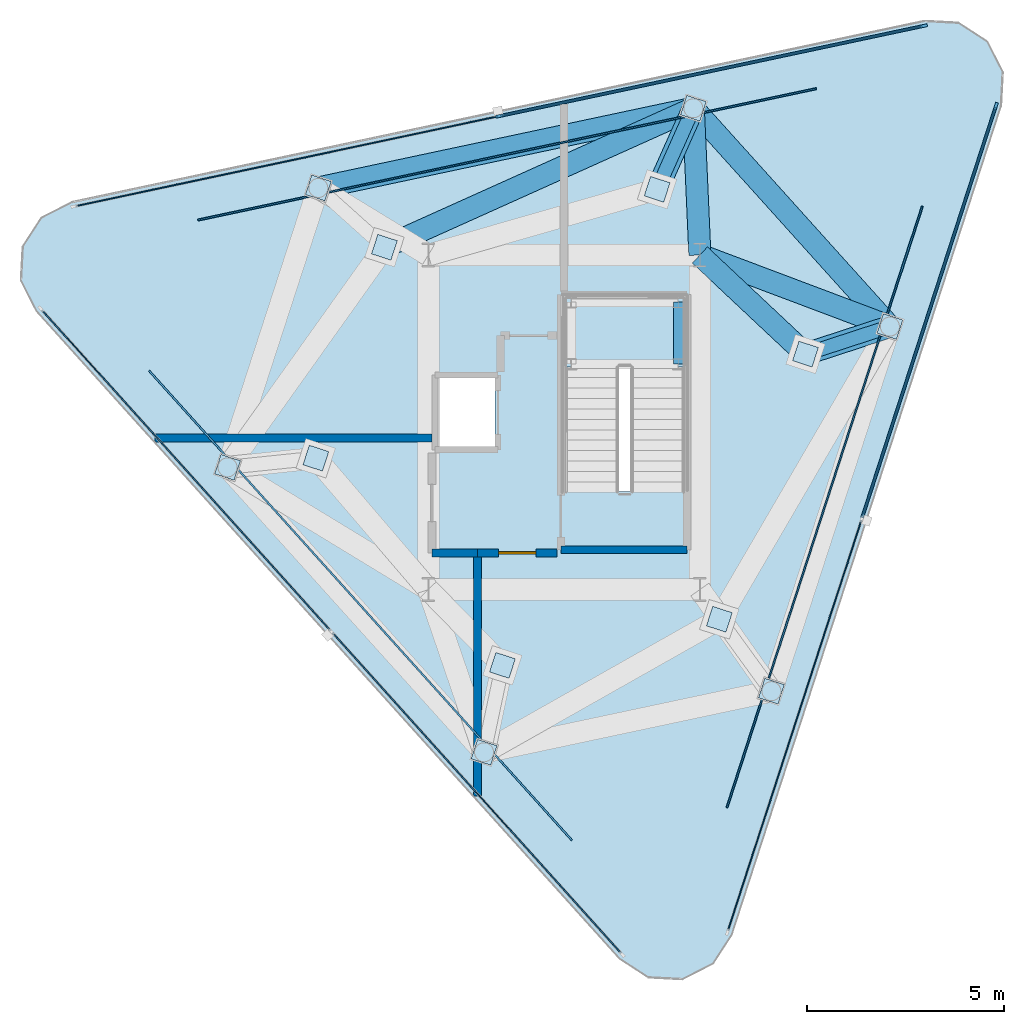
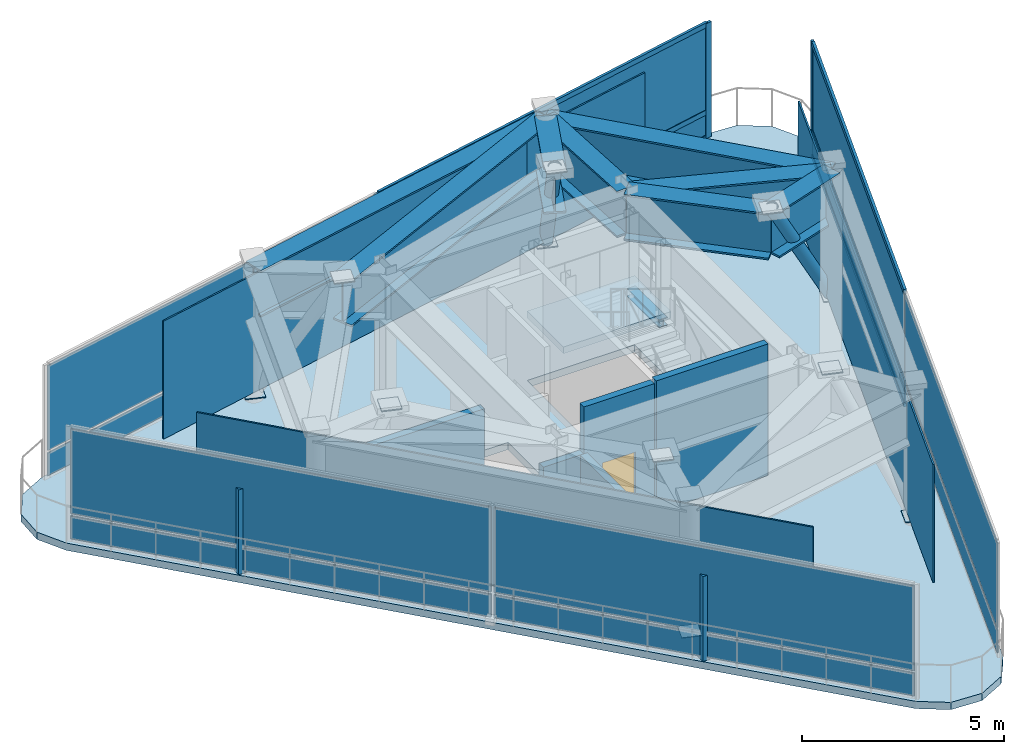
# One storey, part 2 of 4: 27 plates, 11 members, 9 beams, 5 walls, 2 slabs, 1 door, 1 opening, 4 elements without a shape of their own.
"""IFC4 building model written with IfcOpenShell, lengths in metres."""

from ifc_helpers import new_model, si_unit, direction, frame, frame_2d, origin, origin_2d, place, context, subcontext, project, spatial, polyline, rectangle, hollow_circle, i_section, outline, extrude, material, layer, layer_set, material_profile, profile_set, type_object, element, fill, aggregate, save


model = new_model("IFC4")

# Units and contexts
model_context = context("Model", 3, precision=1e-05, world=origin(), true_north=direction((0.0, 1.0)))
body_context = subcontext(model_context, "Body", "Model", "MODEL_VIEW")
ifc_project = project(units=[si_unit("LENGTHUNIT", "METRE"), si_unit("AREAUNIT", "SQUARE_METRE"), si_unit("VOLUMEUNIT", "CUBIC_METRE"), si_unit("PLANEANGLEUNIT", "RADIAN"), si_unit("MASSUNIT", "GRAM", prefix="KILO")], contexts=[model_context])

# Site, building, storey
site_placement = place(None, origin())
site = spatial("IfcSite", under=ifc_project, at=site_placement, CompositionType="ELEMENT")
building_placement = place(site_placement, origin())
building = spatial("IfcBuilding", under=site, at=building_placement, Name="Terralouvre Media Tower", CompositionType="ELEMENT")
storey_placement = place(building_placement, frame((0.0, 0.0, 330.800048828125)))
storey = spatial("IfcBuildingStorey", under=building, at=storey_placement, Name="L85", CompositionType="ELEMENT", Elevation=330.800048828125)

# Curtain wall, members
ifc_material_1 = material(Name="Low-iron laminated double glazing with solar-control coating", Category="glass")
ifc_layer_1 = layer(ifc_material_1, 0.1650390625, Name="Faceted Glass-Point Crown Curtain Wall CW-06")
ifc_layer_set_1 = layer_set([ifc_layer_1], Name="Low-iron laminated double glazing with solar-control coating")
curtain_wall_type = type_object("IfcCurtainWallType", Name="Faceted Glass-Point Crown Curtain Wall CW-06", PredefinedType="NOTDEFINED", material=ifc_layer_set_1)
curtain_wall_1_placement = place(storey_placement, origin())
curtain_wall_1 = element("IfcCurtainWall", 1, at=curtain_wall_1_placement, inside=storey, type_object=curtain_wall_type, Name="L85 Facade Curtain Wall F0", PredefinedType="NOTDEFINED")
ifc_material_2 = material(Name="Anodised extruded aluminium 6063-T6", Category="aluminium")
ifc_material_profile_1 = material_profile(ifc_material_2, rectangle(XDim=0.074951171875, YDim=0.14990234375, at=origin_2d()), Name="ALU 75x150")
ifc_profile_set_1 = profile_set([ifc_material_profile_1], Name="Anodised extruded aluminium 6063-T6")
member_type_1 = type_object("IfcMemberType", Name="Curtain-Wall Horizontal Transom TR-150", PredefinedType="USERDEFINED", material=ifc_profile_set_1)
member_1_placement = place(storey_placement, frame((7.57373046875, -2.42138671875, 0.037353515625), z_axis=(0.30901301948, 0.951057807808, 0.0), x_axis=(-0.951057807808, 0.30901301948, 0.0)))
member_1 = element("IfcMember", 2, at=member_1_placement, type_object=member_type_1, Name="CW-06 transom 2.1", ObjectType="TRANSOM", PredefinedType="USERDEFINED", context=body_context, shape_type="SweptSolid", body=[
    extrude(rectangle(XDim=0.074951171875, YDim=0.14990234375, at=origin_2d()), origin(), (0.0, 0.0, 1.0), 10.95751953125),
])
member_2_placement = place(storey_placement, frame((7.57373046875, -2.42138671875, 0.800048828125), z_axis=(0.30901301948, 0.951057807808, 0.0), x_axis=(-0.951057807808, 0.30901301948, 0.0)))
member_2 = element("IfcMember", 3, at=member_2_placement, type_object=member_type_1, Name="CW-06 transom 2.2", ObjectType="TRANSOM", PredefinedType="USERDEFINED", context=body_context, shape_type="SweptSolid", body=[
    extrude(rectangle(XDim=0.074951171875, YDim=0.14990234375, at=origin_2d()), origin(), (0.0, 0.0, 1.0), 10.95751953125),
])
member_3_placement = place(storey_placement, frame((7.57373046875, -2.42138671875, 3.4423828125), z_axis=(0.30901301948, 0.951057807808, 0.0), x_axis=(-0.951057807808, 0.30901301948, 0.0)))
member_3 = element("IfcMember", 4, at=member_3_placement, type_object=member_type_1, Name="CW-06 transom 2.3", ObjectType="TRANSOM", PredefinedType="USERDEFINED", context=body_context, shape_type="SweptSolid", body=[
    extrude(rectangle(XDim=0.074951171875, YDim=0.14990234375, at=origin_2d()), origin(), (0.0, 0.0, 1.0), 10.95751953125),
])

curtain_wall_2_placement = place(storey_placement, origin())
curtain_wall_2 = element("IfcCurtainWall", 5, at=curtain_wall_2_placement, inside=storey, type_object=curtain_wall_type, Name="L85 Facade Curtain Wall F1", PredefinedType="NOTDEFINED")
member_4_placement = place(storey_placement, frame((9.1015625, 10.0634765625, 0.037353515625), z_axis=(-0.978149619858, -0.20790219136, 0.0), x_axis=(0.20790219136, -0.978149619858, 0.0)))
member_4 = element("IfcMember", 6, at=member_4_placement, type_object=member_type_1, Name="CW-06 transom 1.1", ObjectType="TRANSOM", PredefinedType="USERDEFINED", context=body_context, shape_type="SweptSolid", body=[
    extrude(rectangle(XDim=0.074951171875, YDim=0.14990234375, at=origin_2d()), origin(), (0.0, 0.0, 1.0), 10.95751953125),
])
member_5_placement = place(storey_placement, frame((9.1015625, 10.0634765625, 0.800048828125), z_axis=(-0.978149619858, -0.20790219136, 0.0), x_axis=(0.20790219136, -0.978149619858, 0.0)))
member_5 = element("IfcMember", 7, at=member_5_placement, type_object=member_type_1, Name="CW-06 transom 1.2", ObjectType="TRANSOM", PredefinedType="USERDEFINED", context=body_context, shape_type="SweptSolid", body=[
    extrude(rectangle(XDim=0.074951171875, YDim=0.14990234375, at=origin_2d()), origin(), (0.0, 0.0, 1.0), 10.95751953125),
])
member_6_placement = place(storey_placement, frame((9.1015625, 10.0634765625, 3.4423828125), z_axis=(-0.978149619858, -0.20790219136, 0.0), x_axis=(0.20790219136, -0.978149619858, 0.0)))
member_6 = element("IfcMember", 8, at=member_6_placement, type_object=member_type_1, Name="CW-06 transom 1.3", ObjectType="TRANSOM", PredefinedType="USERDEFINED", context=body_context, shape_type="SweptSolid", body=[
    extrude(rectangle(XDim=0.074951171875, YDim=0.14990234375, at=origin_2d()), origin(), (0.0, 0.0, 1.0), 10.95751953125),
])

# Member
ifc_material_3 = material(Name="Anodised extruded aluminium 6063-T6", Category="aluminium")
ifc_material_profile_2 = material_profile(ifc_material_3, rectangle(XDim=0.074951171875, YDim=0.179931640625, at=origin_2d()), Name="ALU 75x180")
ifc_profile_set_2 = profile_set([ifc_material_profile_2], Name="Anodised extruded aluminium 6063-T6")
member_type_2 = type_object("IfcMemberType", Name="Curtain-Wall Vertical Mullion ML-180", PredefinedType="MULLION", material=ifc_profile_set_2)
member_7_placement = place(storey_placement, frame((10.971435546875, 8.035400390625, 0.0), z_axis=(0.0, 0.0, 1.0), x_axis=(-0.951056593852, 0.30901675568, 0.0)))
member_7 = element("IfcMember", 9, at=member_7_placement, type_object=member_type_2, Name="CW-06 mullion 3", PredefinedType="MULLION", context=body_context, shape_type="SweptSolid", body=[
    extrude(rectangle(XDim=0.074951171875, YDim=0.179931640625, at=origin_2d()), origin(), (0.0, 0.0, 1.0), 3.47998046875),
])

member_8_placement = place(storey_placement, frame((9.13818359375, 10.0712890625, 0.0), z_axis=(0.0, 0.0, 1.0), x_axis=(0.207911894571, -0.978147557425, 0.0)))
member_8 = element("IfcMember", 10, at=member_8_placement, type_object=member_type_2, Name="CW-06 mullion 1", PredefinedType="MULLION", context=body_context, shape_type="SweptSolid", body=[
    extrude(rectangle(XDim=0.074951171875, YDim=0.179931640625, at=origin_2d()), origin(), (0.0, 0.0, 1.0), 3.47998046875),
])

member_9_placement = place(storey_placement, frame((-1.653076171875, 7.777587890625, 0.0), z_axis=(0.0, 0.0, 1.0), x_axis=(0.207911894571, -0.978147557425, 0.0)))
member_9 = element("IfcMember", 11, at=member_9_placement, type_object=member_type_2, Name="CW-06 mullion 2", PredefinedType="MULLION", context=body_context, shape_type="SweptSolid", body=[
    extrude(rectangle(XDim=0.074951171875, YDim=0.179931640625, at=origin_2d()), origin(), (0.0, 0.0, 1.0), 3.47998046875),
])

# Members
ifc_material_4 = material(Name="Structural steel S355J2", Category="steel")
ifc_material_profile_3 = material_profile(ifc_material_4, hollow_circle(Radius=0.177734375, WallThickness=0.01611328125, at=origin_2d()), Name="CHS 355.6x16")
ifc_profile_set_3 = profile_set([ifc_material_profile_3], Name="Structural steel S355J2")
member_type_3 = type_object("IfcMemberType", Name="Faceted Crown Rib Rafter RF-CHS356 (CHS 355.6x16)", PredefinedType="RAFTER", material=ifc_profile_set_3)
for number, where, z_axis, x_axis, name in (
    (12, (8.27783203125, 2.431884765625, 0.14990234375), (-0.48253420333, -0.1575128722, 0.861597607766), (0.310313983443, -0.950634120827, 0.0), "L85 Faceted Glass-Point Crown Rib 14"),
    (13, (3.28369140625, 7.978271484375, 0.14990234375), (-0.207106027556, -0.463421018434, 0.861596223891), (0.912975268222, -0.408014901217, 0.0), "L85 Faceted Glass-Point Crown Rib 15"),
):
    element("IfcMember", number, at=place(storey_placement, frame(where, z_axis=z_axis, x_axis=x_axis)), inside=storey, type_object=member_type_3, Name=name, PredefinedType="RAFTER", context=body_context, shape_type="SweptSolid", body=[
        extrude(hollow_circle(Radius=0.177734375, WallThickness=0.01611328125, at=origin_2d()), origin(), (0.0, 0.0, 1.0), 4.4453125),
    ])

# Beams
ifc_material_5 = material(Name="Structural steel S355J2", Category="steel")
ifc_material_profile_4 = material_profile(ifc_material_5, i_section(OverallWidth=0.239990234375, OverallDepth=0.239990234375, WebThickness=0.010009765625, FlangeThickness=0.01708984375, at=origin_2d()), Name="HEB 240")
ifc_profile_set_4 = profile_set([ifc_material_profile_4], Name="Structural steel S355J2")
beam_type_1 = type_object("IfcBeamType", Name="Opening Lintel Beam LN-240H (HEB 240)", PredefinedType="LINTEL", material=ifc_profile_set_4)
beam_1_placement = place(storey_placement, frame((2.89990234375, 1.47998046875, 1.780029296875), z_axis=(0.0, 1.0, 0.0), x_axis=(-1.0, 0.0, 0.0)))
element("IfcBeam", 14, at=beam_1_placement, inside=storey, type_object=beam_type_1, Name="L85 ST-05 Landing Support Beam 1EC", PredefinedType="LINTEL", context=body_context, shape_type="SweptSolid", body=[
    extrude(i_section(OverallWidth=0.239990234375, OverallDepth=0.239990234375, WebThickness=0.010009765625, FlangeThickness=0.01708984375, at=origin_2d()), origin(), (0.0, 0.0, 1.0), 1.570068359375),
])
ifc_material_6 = material(Name="Structural steel S460M", Category="steel")
ifc_material_profile_5 = material_profile(ifc_material_6, i_section(OverallWidth=0.56005859375, OverallDepth=1.39990234375, WebThickness=0.031982421875, FlangeThickness=0.050048828125, at=origin_2d()), Name="TG 1400x560")
ifc_profile_set_5 = profile_set([ifc_material_profile_5], Name="Structural steel S460M")
beam_type_2 = type_object("IfcBeamType", Name="Welded Transfer Girder TG-1400 (TG 1400x560)", PredefinedType="USERDEFINED", material=ifc_profile_set_5)
beam_2_placement = place(storey_placement, frame((8.27783203125, 2.431884765625, 3.280029296875), z_axis=(-0.669141823398, 0.743134725457, 0.0), x_axis=(-0.743134725457, -0.669141823398, 0.0)))
element("IfcBeam", 15, at=beam_2_placement, inside=storey, type_object=beam_type_2, Name="L85 Framing Beam BM-L85-PR04", ObjectType="TRANSFER GIRDER", PredefinedType="USERDEFINED", context=body_context, shape_type="SweptSolid", body=[
    extrude(i_section(OverallWidth=0.56005859375, OverallDepth=1.39990234375, WebThickness=0.031982421875, FlangeThickness=0.050048828125, at=origin_2d()), origin(), (0.0, 0.0, 1.0), 7.46337890625),
])
beam_3_placement = place(storey_placement, frame((3.28369140625, 7.978271484375, 3.280029296875), z_axis=(-0.978146938373, -0.207914806957, 0.0), x_axis=(0.207914806957, -0.978146938373, 0.0)))
element("IfcBeam", 16, at=beam_3_placement, inside=storey, type_object=beam_type_2, Name="L85 Framing Beam BM-L85-PR05", ObjectType="TRANSFER GIRDER", PredefinedType="USERDEFINED", context=body_context, shape_type="SweptSolid", body=[
    extrude(i_section(OverallWidth=0.56005859375, OverallDepth=1.39990234375, WebThickness=0.031982421875, FlangeThickness=0.050048828125, at=origin_2d()), origin(), (0.0, 0.0, 1.0), 9.741455078125),
])
beam_4_placement = place(storey_placement, frame((3.449951171875, 4.25, 3.280029296875), z_axis=(0.9358401182, -0.352424847547, 0.0), x_axis=(0.352424847547, 0.9358401182, 0.0)))
element("IfcBeam", 17, at=beam_4_placement, inside=storey, type_object=beam_type_2, Name="L85 Framing Beam BM-L85-RD04", ObjectType="TRANSFER GIRDER", PredefinedType="USERDEFINED", context=body_context, shape_type="SweptSolid", body=[
    extrude(i_section(OverallWidth=0.56005859375, OverallDepth=1.39990234375, WebThickness=0.031982421875, FlangeThickness=0.050048828125, at=origin_2d()), origin(), (0.0, 0.0, 1.0), 5.158935546875),
])
beam_5_placement = place(storey_placement, frame((3.449951171875, 4.25, 3.280029296875), z_axis=(-0.044550053796, 0.999007153481, 0.0), x_axis=(-0.999007153481, -0.044550053796, 0.0)))
element("IfcBeam", 18, at=beam_5_placement, inside=storey, type_object=beam_type_2, Name="L85 Framing Beam BM-L85-RD05", ObjectType="TRANSFER GIRDER", PredefinedType="USERDEFINED", context=body_context, shape_type="SweptSolid", body=[
    extrude(i_section(OverallWidth=0.56005859375, OverallDepth=1.39990234375, WebThickness=0.031982421875, FlangeThickness=0.050048828125, at=origin_2d()), origin(), (0.0, 0.0, 1.0), 3.73193359375),
])
beam_6_placement = place(storey_placement, frame((6.1328125, 1.731689453125, 3.280029296875), z_axis=(0.950634120827, 0.310313983443, 0.0), x_axis=(-0.310313983443, 0.950634120827, 0.0)))
element("IfcBeam", 19, at=beam_6_placement, inside=storey, type_object=beam_type_2, Name="L85 Framing Beam BM-L85-TR02S1", ObjectType="TRANSFER GIRDER", PredefinedType="USERDEFINED", context=body_context, shape_type="SweptSolid", body=[
    extrude(i_section(OverallWidth=0.56005859375, OverallDepth=1.39990234375, WebThickness=0.031982421875, FlangeThickness=0.050048828125, at=origin_2d()), origin(), (0.0, 0.0, 1.0), 2.25634765625),
])
beam_7_placement = place(storey_placement, frame((6.1328125, 1.731689453125, 3.280029296875), z_axis=(-0.729112897063, 0.684393441915, 0.0), x_axis=(-0.684393441915, -0.729112897063, 0.0)))
element("IfcBeam", 20, at=beam_7_placement, inside=storey, type_object=beam_type_2, Name="L85 Framing Beam BM-L85-TR02S2", ObjectType="TRANSFER GIRDER", PredefinedType="USERDEFINED", context=body_context, shape_type="SweptSolid", body=[
    extrude(i_section(OverallWidth=0.56005859375, OverallDepth=1.39990234375, WebThickness=0.031982421875, FlangeThickness=0.050048828125, at=origin_2d()), origin(), (0.0, 0.0, 1.0), 3.6796875),
])
beam_8_placement = place(storey_placement, frame((2.363037109375, 5.918212890625, 3.280029296875), z_axis=(0.408014901217, 0.912975268222, 0.0), x_axis=(-0.912975268222, 0.408014901217, 0.0)))
element("IfcBeam", 21, at=beam_8_placement, inside=storey, type_object=beam_type_2, Name="L85 Framing Beam BM-L85-TR03S1", ObjectType="TRANSFER GIRDER", PredefinedType="USERDEFINED", context=body_context, shape_type="SweptSolid", body=[
    extrude(i_section(OverallWidth=0.56005859375, OverallDepth=1.39990234375, WebThickness=0.031982421875, FlangeThickness=0.050048828125, at=origin_2d()), origin(), (0.0, 0.0, 1.0), 2.25634765625),
])
beam_9_placement = place(storey_placement, frame((-4.566162109375, 4.445556640625, 3.280029296875), z_axis=(0.911909299276, 0.41039180047, 0.0), x_axis=(-0.41039180047, 0.911909299276, 0.0)))
element("IfcBeam", 22, at=beam_9_placement, inside=storey, type_object=beam_type_2, Name="L85 Framing Beam BM-L85-TR04S2", ObjectType="TRANSFER GIRDER", PredefinedType="USERDEFINED", context=body_context, shape_type="SweptSolid", body=[
    extrude(i_section(OverallWidth=0.56005859375, OverallDepth=1.39990234375, WebThickness=0.031982421875, FlangeThickness=0.050048828125, at=origin_2d()), origin(), (0.0, 0.0, 1.0), 8.608154296875),
])

# Plates
ifc_material_7 = material(Name="Low-iron laminated double glazing with solar-control coating", Category="glass")
ifc_layer_2 = layer(ifc_material_7, 0.0419921875, Name="Crown Faceted Tapered Glass Panel CWP-04")
ifc_layer_set_2 = layer_set([ifc_layer_2], Name="Low-iron laminated double glazing with solar-control coating")
plate_type_1 = type_object("IfcPlateType", Name="Crown Faceted Tapered Glass Panel CWP-04", PredefinedType="SHEET", material=ifc_layer_set_2)
for number, where, z_axis, x_axis, name in (
    (23, (6.618896484375, -2.150634765625, 0.31494140625), (0.0, 0.0, 1.0), (0.3090168573, 0.951056560834, 0.0), "L85 Faceted Glass-Point Crown Panel F0"),
    (24, (-1.447021484375, 6.807373046875, 0.31494140625), (0.0, 0.0, 1.0), (-0.978147555117, -0.207911905429, 0.0), "L85 Faceted Glass-Point Crown Panel F1"),
    (25, (-5.171875, -4.65673828125, 0.31494140625), (0.0, 0.0, 1.0), (0.66913073697, -0.743144707875, 0.0), "L85 Faceted Glass-Point Crown Panel F2"),
):
    element("IfcPlate", number, at=place(storey_placement, frame(where, z_axis=z_axis, x_axis=x_axis)), inside=storey, type_object=plate_type_1, Name=name, PredefinedType="SHEET", context=body_context, shape_type="SweptSolid", body=[
        extrude(rectangle(XDim=16.060791015625, YDim=0.044921875, at=origin_2d()), origin(), (0.0, 0.0, 1.0), 3.570068359375),
    ])

# Slab
ifc_material_8 = material(Name="Concrete C40/50", Category="concrete")
ifc_layer_3 = layer(ifc_material_8, 0.219970703125, Name="Crown Plant and Catwalk Slab S-CRN220")
ifc_layer_set_3 = layer_set([ifc_layer_3], Name="Concrete C40/50")
slab_type_1 = type_object("IfcSlabType", Name="Crown Plant and Catwalk Slab S-CRN220", PredefinedType="FLOOR", material=ifc_layer_set_3)
slab_1_placement = place(storey_placement, frame((0.0, 0.0, -0.219970703125), z_axis=(0.0, 0.0, 1.0), x_axis=(0.309016994375, 0.951056516295, 0.0)))
element("IfcSlab", 26, at=slab_1_placement, inside=storey, type_object=slab_type_1, Name="L85 Structural Floor Slab", PredefinedType="FLOOR", context=body_context, shape_type="SweptSolid", body=[
    extrude(outline(polyline([(-12.52490234375, -5.55126953125), (-12.75, -6.391357421875), (-12.52490234375, -7.231201171875), (-11.909912109375, -7.84619140625), (-11.070068359375, -8.0712890625), (11.070068359375, -8.0712890625), (11.909912109375, -7.84619140625), (12.52490234375, -7.231201171875), (12.75, -6.391357421875), (12.52490234375, -5.55126953125), (1.454833984375, 13.62255859375), (0.840087890625, 14.237548828125), (0.0, 14.462646484375), (-0.840087890625, 14.237548828125), (-1.454833984375, 13.62255859375), (-12.52490234375, -5.55126953125)]), holes=[polyline([(-1.57861328125, 2.851806640625), (0.076416015625, 3.389404296875), (0.5244140625, 2.010498046875), (-1.13037109375, 1.47265625), (-1.57861328125, 2.851806640625)]), polyline([(-1.669189453125, -0.542236328125), (3.04345703125, 0.98876953125), (3.9951171875, -1.9404296875), (-0.71728515625, -3.4716796875), (-1.669189453125, -0.542236328125)])]), origin(), (0.0, 0.0, 1.0), 0.219970703125),
])

# Plates
ifc_material_9 = material(Name="Structural steel S355J2", Category="steel")
ifc_layer_4 = layer(ifc_material_9, 0.028076171875, Name="Crown Rib End-Cap Node Plate ND-CR1")
ifc_layer_set_4 = layer_set([ifc_layer_4], Name="Structural steel S355J2")
plate_type_2 = type_object("IfcPlateType", Name="Crown Rib End-Cap Node Plate ND-CR1", PredefinedType="SHEET", material=ifc_layer_set_4)
for number, where, z_axis, x_axis, name in (
    (27, (5.267578125, -6.8330078125, 0.1357421875), (0.0, 0.0, 1.0), (0.309016994375, 0.951056516295, 0.0), "L85 Crown Rib Base Plate 13"),
    (28, (3.94384765625, -5.005615234375, 3.9658203125), (0.0, 0.0, 1.0), (0.309016994375, 0.951056516295, 0.0), "L85 Crown Rib Top Plate 13"),
    (29, (8.27783203125, 2.431884765625, 0.1357421875), (0.0, 0.0, 1.0), (0.309016994375, 0.951056516295, 0.0), "L85 Crown Rib Base Plate 14"),
    (30, (6.1328125, 1.731689453125, 3.9658203125), (0.0, 0.0, 1.0), (0.309016994375, 0.951056516295, 0.0), "L85 Crown Rib Top Plate 14"),
    (31, (3.28369140625, 7.978271484375, 0.1357421875), (0.0, 0.0, 1.0), (0.309016994375, 0.951056516295, 0.0), "L85 Crown Rib Base Plate 15"),
    (32, (2.363037109375, 5.918212890625, 3.9658203125), (0.0, 0.0, 1.0), (0.309016994375, 0.951056516295, 0.0), "L85 Crown Rib Top Plate 15"),
    (33, (-6.244873046875, 5.952880859375, 0.1357421875), (0.0, 0.0, 1.0), (0.309016994375, 0.951056516295, 0.0), "L85 Crown Rib Base Plate 16"),
    (34, (-4.566162109375, 4.445556640625, 3.9658203125), (0.0, 0.0, 1.0), (0.309016994375, 0.951056516295, 0.0), "L85 Crown Rib Top Plate 16"),
    (35, (-8.55126953125, -1.145263671875, 0.1357421875), (0.0, 0.0, 1.0), (0.309016994375, 0.951056516295, 0.0), "L85 Crown Rib Base Plate 17"),
    (36, (-6.306884765625, -0.91259765625, 3.9658203125), (0.0, 0.0, 1.0), (0.309016994375, 0.951056516295, 0.0), "L85 Crown Rib Top Plate 17"),
    (37, (-2.032958984375, -8.384765625, 0.1357421875), (0.0, 0.0, 1.0), (0.309016994375, 0.951056516295, 0.0), "L85 Crown Rib Base Plate 18"),
    (38, (-1.56689453125, -6.177001953125, 3.9658203125), (0.0, 0.0, 1.0), (0.309016994375, 0.951056516295, 0.0), "L85 Crown Rib Top Plate 18"),
):
    element("IfcPlate", number, at=place(storey_placement, frame(where, z_axis=z_axis, x_axis=x_axis)), inside=storey, type_object=plate_type_2, Name=name, PredefinedType="SHEET", context=body_context, shape_type="SweptSolid", body=[
        extrude(rectangle(XDim=0.52001953125, YDim=0.52001953125, at=origin_2d()), origin(), (0.0, 0.0, 1.0), 0.028076171875),
    ])

# Stair, slab
ifc_material_10 = material(Name="Concrete C45/55", Category="concrete")
stair_type = type_object("IfcStairType", Name="Dogleg Stair Assembly ST-05", PredefinedType="HALF_TURN_STAIR", material=ifc_material_10)
stair_placement = place(storey_placement, origin())
stair = element("IfcStair", 39, at=stair_placement, inside=storey, type_object=stair_type, Name="L85 Crown Maintenance Stair ST-05", PredefinedType="HALF_TURN_STAIR")
ifc_material_11 = material(Name="Concrete C45/55", Category="concrete")
ifc_layer_5 = layer(ifc_material_11, 0.199951171875, Name="Reinforced Concrete Stair Half-Landing SL-LD1")
ifc_layer_set_5 = layer_set([ifc_layer_5], Name="Concrete C45/55")
slab_type_2 = type_object("IfcSlabType", Name="Reinforced Concrete Stair Half-Landing SL-LD1", PredefinedType="LANDING", material=ifc_layer_set_5)
slab_2_placement = place(storey_placement, frame((0.0, 0.0, 1.89990234375)))
slab_2 = element("IfcSlab", 40, at=slab_2_placement, type_object=slab_type_2, Name="ST-05 landing 1", PredefinedType="LANDING", context=body_context, shape_type="SweptSolid", body=[
    extrude(outline(polyline([(3.080078125, 1.39990234375), (3.080078125, 3.199951171875), (0.0, 3.199951171875), (0.0, 1.39990234375), (3.080078125, 1.39990234375)])), origin(), (0.0, 0.0, 1.0), 0.199951171875),
])
aggregate(stair, [slab_2])

# Plate
ifc_material_12 = material(Name="Low-iron laminated double glazing with solar-control coating", Category="glass")
ifc_layer_6 = layer(ifc_material_12, 0.035888671875, Name="Vision Double-Glazed Unit CWP-01")
ifc_layer_set_6 = layer_set([ifc_layer_6], Name="Low-iron laminated double glazing with solar-control coating")
plate_type_3 = type_object("IfcPlateType", Name="Vision Double-Glazed Unit CWP-01", PredefinedType="CURTAIN_PANEL", material=ifc_layer_set_6)
plate_1_placement = place(storey_placement, frame((5.857421875, -7.703369140625, 0.074951171875), z_axis=(0.0, 0.0, 1.0), x_axis=(0.30901675568, 0.951056593852, 0.0)))
plate_1 = element("IfcPlate", 41, at=plate_1_placement, type_object=plate_type_3, Name="CW-06 panel 1.1", PredefinedType="CURTAIN_PANEL", context=body_context, shape_type="SweptSolid", body=[
    extrude(rectangle(XDim=10.95751953125, YDim=0.035888671875, at=origin_2d()), origin(), (0.0, 0.0, 1.0), 0.6875),
])

plate_2_placement = place(storey_placement, frame((5.857421875, -7.703369140625, 0.83740234375), z_axis=(0.0, 0.0, 1.0), x_axis=(0.30901675568, 0.951056593852, 0.0)))
plate_2 = element("IfcPlate", 42, at=plate_2_placement, type_object=plate_type_3, Name="CW-06 panel 1.2", PredefinedType="CURTAIN_PANEL", context=body_context, shape_type="SweptSolid", body=[
    extrude(rectangle(XDim=10.95751953125, YDim=0.035888671875, at=origin_2d()), origin(), (0.0, 0.0, 1.0), 2.5673828125),
])

plate_3_placement = place(storey_placement, frame((9.2666015625, 2.789306640625, 0.074951171875), z_axis=(0.0, 0.0, 1.0), x_axis=(0.30901675568, 0.951056593852, 0.0)))
plate_3 = element("IfcPlate", 43, at=plate_3_placement, type_object=plate_type_3, Name="CW-06 panel 2.1", PredefinedType="CURTAIN_PANEL", context=body_context, shape_type="SweptSolid", body=[
    extrude(rectangle(XDim=10.95751953125, YDim=0.035888671875, at=origin_2d()), origin(), (0.0, 0.0, 1.0), 0.6875),
])

plate_4_placement = place(storey_placement, frame((9.2666015625, 2.789306640625, 0.83740234375), z_axis=(0.0, 0.0, 1.0), x_axis=(0.30901675568, 0.951056593852, 0.0)))
plate_4 = element("IfcPlate", 44, at=plate_4_placement, type_object=plate_type_3, Name="CW-06 panel 2.2", PredefinedType="CURTAIN_PANEL", context=body_context, shape_type="SweptSolid", body=[
    extrude(rectangle(XDim=10.95751953125, YDim=0.035888671875, at=origin_2d()), origin(), (0.0, 0.0, 1.0), 2.5673828125),
])

aggregate(curtain_wall_1, [member_7, plate_1, plate_2, member_1, member_2, member_3, plate_3, plate_4])

plate_5_placement = place(storey_placement, frame((3.742431640625, 8.92431640625, 0.074951171875), z_axis=(0.0, 0.0, 1.0), x_axis=(-0.978147557425, -0.207911894571, 0.0)))
plate_5 = element("IfcPlate", 45, at=plate_5_placement, type_object=plate_type_3, Name="CW-06 panel 1.1", PredefinedType="CURTAIN_PANEL", context=body_context, shape_type="SweptSolid", body=[
    extrude(rectangle(XDim=10.95751953125, YDim=0.035888671875, at=origin_2d()), origin(), (0.0, 0.0, 1.0), 0.6875),
])

plate_6_placement = place(storey_placement, frame((3.742431640625, 8.92431640625, 0.83740234375), z_axis=(0.0, 0.0, 1.0), x_axis=(-0.978147557425, -0.207911894571, 0.0)))
plate_6 = element("IfcPlate", 46, at=plate_6_placement, type_object=plate_type_3, Name="CW-06 panel 1.2", PredefinedType="CURTAIN_PANEL", context=body_context, shape_type="SweptSolid", body=[
    extrude(rectangle(XDim=10.95751953125, YDim=0.035888671875, at=origin_2d()), origin(), (0.0, 0.0, 1.0), 2.5673828125),
])

plate_7_placement = place(storey_placement, frame((-7.048828125, 6.630615234375, 0.074951171875), z_axis=(0.0, 0.0, 1.0), x_axis=(-0.978147557425, -0.207911894571, 0.0)))
plate_7 = element("IfcPlate", 47, at=plate_7_placement, type_object=plate_type_3, Name="CW-06 panel 2.1", PredefinedType="CURTAIN_PANEL", context=body_context, shape_type="SweptSolid", body=[
    extrude(rectangle(XDim=10.95751953125, YDim=0.035888671875, at=origin_2d()), origin(), (0.0, 0.0, 1.0), 0.6875),
])

plate_8_placement = place(storey_placement, frame((-7.048828125, 6.630615234375, 0.83740234375), z_axis=(0.0, 0.0, 1.0), x_axis=(-0.978147557425, -0.207911894571, 0.0)))
plate_8 = element("IfcPlate", 48, at=plate_8_placement, type_object=plate_type_3, Name="CW-06 panel 2.2", PredefinedType="CURTAIN_PANEL", context=body_context, shape_type="SweptSolid", body=[
    extrude(rectangle(XDim=10.95751953125, YDim=0.035888671875, at=origin_2d()), origin(), (0.0, 0.0, 1.0), 2.5673828125),
])

aggregate(curtain_wall_2, [member_8, member_9, member_4, member_5, member_6, plate_5, plate_6, plate_7, plate_8])

# Curtain wall, plates
curtain_wall_3_placement = place(storey_placement, origin())
curtain_wall_3 = element("IfcCurtainWall", 49, at=curtain_wall_3_placement, inside=storey, type_object=curtain_wall_type, Name="L85 Facade Curtain Wall F2", PredefinedType="NOTDEFINED")
plate_9_placement = place(storey_placement, frame((-9.60009765625, -1.220947265625, 0.074951171875), z_axis=(0.0, 0.0, 1.0), x_axis=(0.669130485787, -0.743144934041, 0.0)))
plate_9 = element("IfcPlate", 50, at=plate_9_placement, type_object=plate_type_3, Name="CW-06 panel 1.1", PredefinedType="CURTAIN_PANEL", context=body_context, shape_type="SweptSolid", body=[
    extrude(rectangle(XDim=10.95751953125, YDim=0.035888671875, at=origin_2d()), origin(), (0.0, 0.0, 1.0), 0.6875),
])
plate_10_placement = place(storey_placement, frame((-9.60009765625, -1.220947265625, 0.83740234375), z_axis=(0.0, 0.0, 1.0), x_axis=(0.669130485787, -0.743144934041, 0.0)))
plate_10 = element("IfcPlate", 51, at=plate_10_placement, type_object=plate_type_3, Name="CW-06 panel 1.2", PredefinedType="CURTAIN_PANEL", context=body_context, shape_type="SweptSolid", body=[
    extrude(rectangle(XDim=10.95751953125, YDim=0.035888671875, at=origin_2d()), origin(), (0.0, 0.0, 1.0), 2.5673828125),
])
plate_11_placement = place(storey_placement, frame((-2.2177734375, -9.419921875, 0.074951171875), z_axis=(0.0, 0.0, 1.0), x_axis=(0.669130485787, -0.743144934041, 0.0)))
plate_11 = element("IfcPlate", 52, at=plate_11_placement, type_object=plate_type_3, Name="CW-06 panel 2.1", PredefinedType="CURTAIN_PANEL", context=body_context, shape_type="SweptSolid", body=[
    extrude(rectangle(XDim=10.95751953125, YDim=0.035888671875, at=origin_2d()), origin(), (0.0, 0.0, 1.0), 0.6875),
])
plate_12_placement = place(storey_placement, frame((-2.2177734375, -9.419921875, 0.83740234375), z_axis=(0.0, 0.0, 1.0), x_axis=(0.669130485787, -0.743144934041, 0.0)))
plate_12 = element("IfcPlate", 53, at=plate_12_placement, type_object=plate_type_3, Name="CW-06 panel 2.2", PredefinedType="CURTAIN_PANEL", context=body_context, shape_type="SweptSolid", body=[
    extrude(rectangle(XDim=10.95751953125, YDim=0.035888671875, at=origin_2d()), origin(), (0.0, 0.0, 1.0), 2.5673828125),
])
aggregate(curtain_wall_3, [plate_9, plate_10, plate_11, plate_12])

# Walls
ifc_material_13 = material(Name="Fire-rated gypsum board drywall partition")
ifc_layer_7 = layer(ifc_material_13, 0.199951171875, Name="Fire-Rated Shaft and Lobby Partition FW-200")
ifc_layer_set_7 = layer_set([ifc_layer_7], Name="Fire-rated gypsum board drywall partition")
wall_type = type_object("IfcWallType", Name="Fire-Rated Shaft and Lobby Partition FW-200", PredefinedType="SOLIDWALL", material=ifc_layer_set_7)
wall_1_placement = place(storey_placement, frame((-0.080078125, -3.239990234375, 0.0), z_axis=(0.0, 0.0, 1.0), x_axis=(1.0, 0.0, 0.0)))
element("IfcWall", 54, at=wall_1_placement, inside=storey, type_object=wall_type, Name="L85 ST05 Stair Shaft Wall S", PredefinedType="SOLIDWALL", context=body_context, shape_type="SweptSolid", body=[
    extrude(rectangle(XDim=3.2001953125, YDim=0.199951171875, at=frame_2d((1.60009765625, 0.0))), origin(), (0.0, 0.0, 1.0), 3.97998046875),
])
wall_2_placement = place(storey_placement, frame((-3.360107421875, -3.320068359375, 0.0), z_axis=(0.0, 0.0, 1.0), x_axis=(1.0, 0.0, 0.0)))
element("IfcWall", 55, at=wall_2_placement, inside=storey, type_object=wall_type, Name="L85 Interior Partition 002", PredefinedType="SOLIDWALL", context=body_context, shape_type="SweptSolid", body=[
    extrude(rectangle(XDim=1.16015625, YDim=0.199951171875, at=frame_2d((0.580078125, 0.0))), origin(), (0.0, 0.0, 1.0), 2.56494140625),
])

# Wall, opening, door
wall_3_placement = place(storey_placement, frame((-2.199951171875, -3.320068359375, 0.0), z_axis=(0.0, 0.0, 1.0), x_axis=(1.0, 0.0, 0.0)))
wall_3 = element("IfcWall", 56, at=wall_3_placement, inside=storey, type_object=wall_type, Name="L85 Interior Partition 003", PredefinedType="SOLIDWALL", context=body_context, shape_type="SweptSolid", body=[
    extrude(rectangle(XDim=2.02001953125, YDim=0.199951171875, at=frame_2d((1.010009765625, 0.0))), origin(), (0.0, 0.0, 1.0), 3.97998046875),
])
opening_placement = place(wall_3_placement, frame((0.534912109375, 0.0, 0.0)))
opening = element("IfcOpeningElement", 57, at=opening_placement, cuts=wall_3, Name="Opening FD-02-95X210", PredefinedType="OPENING", context=body_context, shape_type="SweptSolid", body=[
    extrude(rectangle(XDim=0.949951171875, YDim=2.10009765625, at=frame_2d((0.47509765625, 1.050048828125))), frame((0.0, 0.10986328125, 0.0), z_axis=(0.0, -1.0, 0.0), x_axis=(1.0, 0.0, 0.0)), (0.0, 0.0, 1.0), 0.219970703125),
])
ifc_material_14 = material(Name="Galvanised steel fire-resisting leaf", Category="steel")
door_type = type_object("IfcDoorType", Name="Plant and Riser Fire Door FD-02 (950x2100)", OperationType="NOTDEFINED", PredefinedType="DOOR", material=ifc_material_14)
door_placement = place(opening_placement, origin())
door = element("IfcDoor", 58, at=door_placement, inside=storey, type_object=door_type, Name="L85 L85 Upper Switchgear Electrical Equipment Room Door", OperationType="SINGLE_SWING_LEFT", OverallHeight=2.10009765625, OverallWidth=0.949951171875, PredefinedType="DOOR", context=body_context, shape_type="SweptSolid", body=[
    extrude(rectangle(XDim=0.949951171875, YDim=2.10009765625, at=frame_2d((0.47509765625, 1.050048828125))), frame((0.0, 0.02490234375, 0.0), z_axis=(0.0, -1.0, 0.0), x_axis=(1.0, 0.0, 0.0)), (0.0, 0.0, 1.0), 0.050048828125),
])
fill(opening, door)

# Walls
wall_4_placement = place(storey_placement, frame((-2.199951171875, -9.49951171875, 0.0), z_axis=(0.0, 0.0, 1.0), x_axis=(0.0, 1.0, 0.0)))
element("IfcWall", 59, at=wall_4_placement, inside=storey, type_object=wall_type, Name="L85 Interior Partition 006", PredefinedType="SOLIDWALL", context=body_context, shape_type="SweptSolid", body=[
    extrude(rectangle(XDim=6.179443359375, YDim=0.199951171875, at=frame_2d((3.08984375, 0.0))), origin(), (0.0, 0.0, 1.0), 2.56494140625),
])
wall_5_placement = place(storey_placement, frame((-3.360107421875, -0.39990234375, 0.0), z_axis=(0.0, 0.0, 1.0), x_axis=(-1.0, 0.0, 0.0)))
element("IfcWall", 60, at=wall_5_placement, inside=storey, type_object=wall_type, Name="L85 Interior Partition 007", PredefinedType="SOLIDWALL", context=body_context, shape_type="SweptSolid", body=[
    extrude(rectangle(XDim=7.032958984375, YDim=0.199951171875, at=frame_2d((3.5166015625, 0.0))), origin(), (0.0, 0.0, 1.0), 2.56494140625),
])

save(model, "model.ifc")
